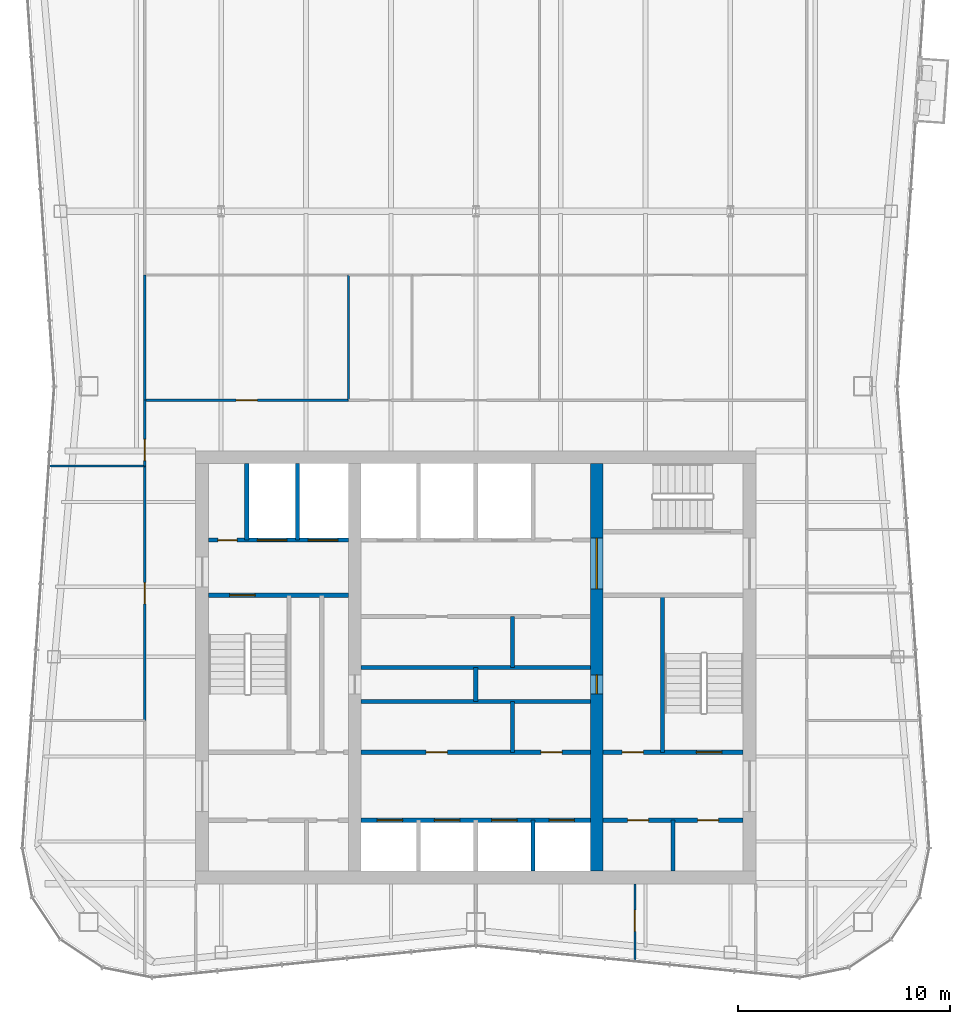
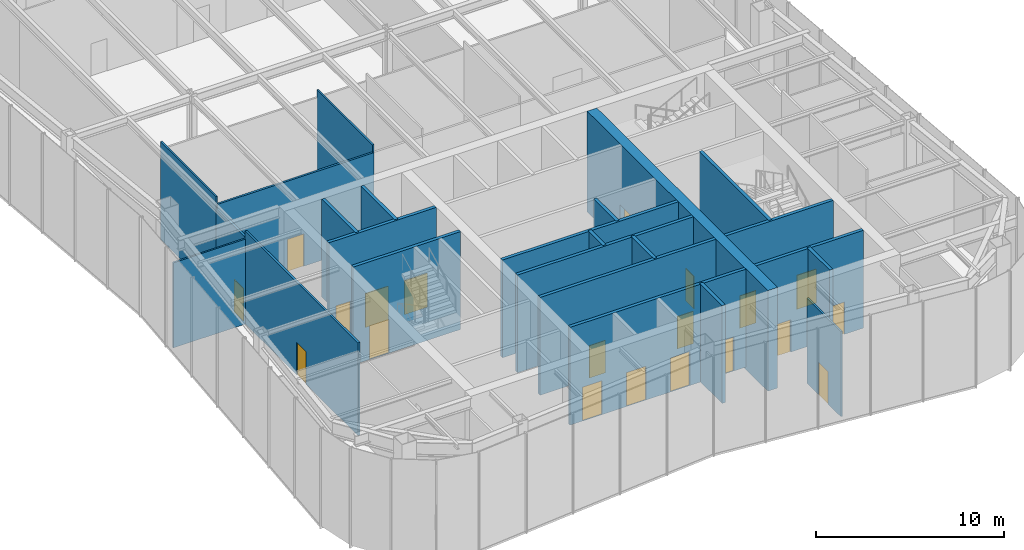
# One storey, part 10 of 15: 24 walls, 20 doors, 20 openings.
"""IFC4 building model written with IfcOpenShell, lengths in metres."""

from ifc_helpers import new_model, si_unit, direction, frame, frame_2d, origin, place, context, subcontext, project, spatial, rectangle, extrude, material, layer, layer_set, type_object, element, fill, save


model = new_model("IFC4")

# Units and contexts
model_context = context("Model", 3, precision=1e-05, world=origin(), true_north=direction((0.0, 1.0)))
body_context = subcontext(model_context, "Body", "Model", "MODEL_VIEW")
ifc_project = project(units=[si_unit("LENGTHUNIT", "METRE"), si_unit("AREAUNIT", "SQUARE_METRE"), si_unit("VOLUMEUNIT", "CUBIC_METRE"), si_unit("PLANEANGLEUNIT", "RADIAN"), si_unit("MASSUNIT", "GRAM", prefix="KILO")], contexts=[model_context])

# Site, building, storey
site_placement = place(None, origin())
site = spatial("IfcSite", under=ifc_project, at=site_placement, CompositionType="ELEMENT")
building_placement = place(site_placement, origin())
building = spatial("IfcBuilding", under=site, at=building_placement, Name="Verdant Reach Tower", CompositionType="ELEMENT")
storey_placement = place(building_placement, frame((0.0, 0.0, 334.0)))
storey = spatial("IfcBuildingStorey", under=building, at=storey_placement, Name="L77", CompositionType="ELEMENT", Elevation=334.0)

# Wall, openings, doors
ifc_material_1 = material(Name="Gypsum board on steel studs", Category="steel")
ifc_layer_1 = layer(ifc_material_1, 0.199951171875)
ifc_layer_set_1 = layer_set([ifc_layer_1], Name="CO-WALL-ROOM")
wall_type_1 = type_object("IfcWallType", Name="CO-WALL-ROOM", PredefinedType="PARTITIONING", material=ifc_layer_set_1)
wall_1_placement = place(storey_placement, frame((6.0, 20.800048828125, 0.0), z_axis=(0.0, 0.0, 1.0), x_axis=(1.0, 0.0, 0.0)))
wall_1 = element("IfcWall", 1, at=wall_1_placement, inside=storey, type_object=wall_type_1, Name="Core partition, L77", PredefinedType="PARTITIONING", context=body_context, shape_type="SweptSolid", body=[
    extrude(rectangle(XDim=6.60009765625, YDim=0.199951171875, at=frame_2d((3.300048828125, 0.0))), origin(), (0.0, 0.0, 1.0), 6.35009765625),
])
opening_1_placement = place(wall_1_placement, frame((1.14990234375, 0.0, 0.0)))
opening_1 = element("IfcOpeningElement", 2, at=opening_1_placement, cuts=wall_1, Name="Opening CD", PredefinedType="OPENING", context=body_context, shape_type="SweptSolid", body=[
    extrude(rectangle(XDim=1.0, YDim=2.10009765625, at=frame_2d((0.5, 1.050048828125))), frame((0.0, 0.10986328125, 0.0), z_axis=(0.0, -1.0, 0.0), x_axis=(1.0, 0.0, 0.0)), (0.0, 0.0, 1.0), 0.219970703125),
])
opening_2_placement = place(wall_1_placement, frame((4.449951171875, 0.0, 0.0)))
opening_2 = element("IfcOpeningElement", 3, at=opening_2_placement, cuts=wall_1, Name="Opening CD", PredefinedType="OPENING", context=body_context, shape_type="SweptSolid", body=[
    extrude(rectangle(XDim=1.0, YDim=2.10009765625, at=frame_2d((0.5, 1.050048828125))), frame((0.0, 0.10986328125, 0.0), z_axis=(0.0, -1.0, 0.0), x_axis=(1.0, 0.0, 0.0)), (0.0, 0.0, 1.0), 0.219970703125),
])
ifc_material_2 = material(Name="Timber", Category="wood")
door_type_1 = type_object("IfcDoorType", Name="CO-DOOR-ROOM", OperationType="NOTDEFINED", PredefinedType="DOOR", material=ifc_material_2)
door_1_placement = place(opening_1_placement, origin())
door_1 = element("IfcDoor", 4, at=door_1_placement, inside=storey, type_object=door_type_1, Name="Core room door, L77", OperationType="SINGLE_SWING_LEFT", OverallHeight=2.10009765625, OverallWidth=1.0, PredefinedType="DOOR", context=body_context, shape_type="SweptSolid", body=[
    extrude(rectangle(XDim=1.0, YDim=2.10009765625, at=frame_2d((0.5, 1.050048828125))), frame((0.0, 0.02490234375, 0.0), z_axis=(0.0, -1.0, 0.0), x_axis=(1.0, 0.0, 0.0)), (0.0, 0.0, 1.0), 0.050048828125),
])
fill(opening_1, door_1)
door_2_placement = place(opening_2_placement, origin())
door_2 = element("IfcDoor", 5, at=door_2_placement, inside=storey, type_object=door_type_1, Name="Core room door, L77", OperationType="SINGLE_SWING_LEFT", OverallHeight=2.10009765625, OverallWidth=1.0, PredefinedType="DOOR", context=body_context, shape_type="SweptSolid", body=[
    extrude(rectangle(XDim=1.0, YDim=2.10009765625, at=frame_2d((0.5, 1.050048828125))), frame((0.0, 0.02490234375, 0.0), z_axis=(0.0, -1.0, 0.0), x_axis=(1.0, 0.0, 0.0)), (0.0, 0.0, 1.0), 0.050048828125),
])
fill(opening_2, door_2)

wall_2_placement = place(storey_placement, frame((-5.39990234375, 24.0, 0.0), z_axis=(0.0, 0.0, 1.0), x_axis=(1.0, 0.0, 0.0)))
wall_2 = element("IfcWall", 6, at=wall_2_placement, inside=storey, type_object=wall_type_1, Name="Core partition, L77", PredefinedType="PARTITIONING", context=body_context, shape_type="SweptSolid", body=[
    extrude(rectangle(XDim=10.7998046875, YDim=0.199951171875, at=frame_2d((5.39990234375, 0.0))), origin(), (0.0, 0.0, 1.0), 6.35009765625),
])
opening_3_placement = place(wall_2_placement, frame((3.06396484375, 0.0, 0.0)))
opening_3 = element("IfcOpeningElement", 7, at=opening_3_placement, cuts=wall_2, Name="Opening CD", PredefinedType="OPENING", context=body_context, shape_type="SweptSolid", body=[
    extrude(rectangle(XDim=1.0, YDim=2.10009765625, at=frame_2d((0.5, 1.050048828125))), frame((0.0, 0.10986328125, 0.0), z_axis=(0.0, -1.0, 0.0), x_axis=(1.0, 0.0, 0.0)), (0.0, 0.0, 1.0), 0.219970703125),
])
opening_4_placement = place(wall_2_placement, frame((8.464111328125, 0.0, 0.0)))
opening_4 = element("IfcOpeningElement", 8, at=opening_4_placement, cuts=wall_2, Name="Opening CD", PredefinedType="OPENING", context=body_context, shape_type="SweptSolid", body=[
    extrude(rectangle(XDim=1.0, YDim=2.10009765625, at=frame_2d((0.5, 1.050048828125))), frame((0.0, 0.10986328125, 0.0), z_axis=(0.0, -1.0, 0.0), x_axis=(1.0, 0.0, 0.0)), (0.0, 0.0, 1.0), 0.219970703125),
])
door_3_placement = place(opening_3_placement, origin())
door_3 = element("IfcDoor", 9, at=door_3_placement, inside=storey, type_object=door_type_1, Name="Core room door, L77", OperationType="SINGLE_SWING_RIGHT", OverallHeight=2.10009765625, OverallWidth=1.0, PredefinedType="DOOR", context=body_context, shape_type="SweptSolid", body=[
    extrude(rectangle(XDim=1.0, YDim=2.10009765625, at=frame_2d((0.5, 1.050048828125))), frame((0.0, 0.02490234375, 0.0), z_axis=(0.0, -1.0, 0.0), x_axis=(1.0, 0.0, 0.0)), (0.0, 0.0, 1.0), 0.050048828125),
])
fill(opening_3, door_3)
door_4_placement = place(opening_4_placement, origin())
door_4 = element("IfcDoor", 10, at=door_4_placement, inside=storey, type_object=door_type_1, Name="Core room door, L77", OperationType="SINGLE_SWING_LEFT", OverallHeight=2.10009765625, OverallWidth=1.0, PredefinedType="DOOR", context=body_context, shape_type="SweptSolid", body=[
    extrude(rectangle(XDim=1.0, YDim=2.10009765625, at=frame_2d((0.5, 1.050048828125))), frame((0.0, 0.02490234375, 0.0), z_axis=(0.0, -1.0, 0.0), x_axis=(1.0, 0.0, 0.0)), (0.0, 0.0, 1.0), 0.050048828125),
])
fill(opening_4, door_4)

# Walls
for number, where, z_axis, x_axis, name in (
    (11, (-5.39990234375, 26.39990234375, 0.0), (0.0, 0.0, 1.0), (1.0, 0.0, 0.0), "Core partition, L77"),
    (12, (-5.39990234375, 28.0, 0.0), (0.0, 0.0, 1.0), (1.0, 0.0, 0.0), "Core partition, L77"),
):
    element("IfcWall", number, at=place(storey_placement, frame(where, z_axis=z_axis, x_axis=x_axis)), inside=storey, type_object=wall_type_1, Name=name, PredefinedType="PARTITIONING", context=body_context, shape_type="SweptSolid", body=[
        extrude(rectangle(XDim=10.7998046875, YDim=0.199951171875, at=frame_2d((5.39990234375, 0.0))), origin(), (0.0, 0.0, 1.0), 6.35009765625),
    ])
wall_3_placement = place(storey_placement, frame((0.0, 26.39990234375, 0.0), z_axis=(0.0, 0.0, 1.0), x_axis=(0.0, 1.0, 0.0)))
element("IfcWall", 13, at=wall_3_placement, inside=storey, type_object=wall_type_1, Name="Core partition, L77", PredefinedType="PARTITIONING", context=body_context, shape_type="SweptSolid", body=[
    extrude(rectangle(XDim=1.60009765625, YDim=0.199951171875, at=frame_2d((0.800048828125, 0.0))), origin(), (0.0, 0.0, 1.0), 6.35009765625),
])
for number, where, z_axis, x_axis, name in (
    (14, (1.72802734375, 24.0, 0.0), (0.0, 0.0, 1.0), (0.0, 1.0, 0.0), "Core partition, L77"),
    (15, (1.72802734375, 28.0, 0.0), (0.0, 0.0, 1.0), (0.0, 1.0, 0.0), "Core partition, L77"),
):
    element("IfcWall", number, at=place(storey_placement, frame(where, z_axis=z_axis, x_axis=x_axis)), inside=storey, type_object=wall_type_1, Name=name, PredefinedType="PARTITIONING", context=body_context, shape_type="SweptSolid", body=[
        extrude(rectangle(XDim=2.39990234375, YDim=0.199951171875, at=frame_2d((1.199951171875, 0.0))), origin(), (0.0, 0.0, 1.0), 6.35009765625),
    ])
wall_4_placement = place(storey_placement, frame((9.300048828125, 18.39990234375, 0.0), z_axis=(0.0, 0.0, 1.0), x_axis=(0.0, 1.0, 0.0)))
element("IfcWall", 16, at=wall_4_placement, inside=storey, type_object=wall_type_1, Name="Core partition, L77", PredefinedType="PARTITIONING", context=body_context, shape_type="SweptSolid", body=[
    extrude(rectangle(XDim=2.400146484375, YDim=0.199951171875, at=frame_2d((1.2001953125, 0.0))), origin(), (0.0, 0.0, 1.0), 6.35009765625),
])

# Wall, openings, doors
ifc_material_3 = material(Name="Concrete C40/50", Category="concrete")
ifc_layer_2 = layer(ifc_material_3, 0.199951171875)
ifc_layer_set_2 = layer_set([ifc_layer_2], Name="CO-WALL-SHAFT")
wall_type_2 = type_object("IfcWallType", Name="CO-WALL-SHAFT", PredefinedType="PARTITIONING", material=ifc_layer_set_2)
wall_5_placement = place(storey_placement, frame((-5.39990234375, 20.800048828125, 0.0), z_axis=(0.0, 0.0, 1.0), x_axis=(1.0, 0.0, 0.0)))
wall_5 = element("IfcWall", 17, at=wall_5_placement, inside=storey, type_object=wall_type_2, Name="Lift shaft wall, L77", PredefinedType="PARTITIONING", context=body_context, shape_type="SweptSolid", body=[
    extrude(rectangle(XDim=10.7998046875, YDim=0.199951171875, at=frame_2d((5.39990234375, 0.0))), origin(), (0.0, 0.0, 1.0), 6.35009765625),
])
opening_5_placement = place(wall_5_placement, frame((0.75, 0.0, 0.0)))
opening_5 = element("IfcOpeningElement", 18, at=opening_5_placement, cuts=wall_5, Name="Opening LD-B1", PredefinedType="OPENING", context=body_context, shape_type="SweptSolid", body=[
    extrude(rectangle(XDim=1.199951171875, YDim=2.199951171875, at=frame_2d((0.60009765625, 1.10009765625))), frame((0.0, 0.10986328125, 0.0), z_axis=(0.0, -1.0, 0.0), x_axis=(1.0, 0.0, 0.0)), (0.0, 0.0, 1.0), 0.219970703125),
])
opening_6_placement = place(wall_5_placement, frame((3.449951171875, 0.0, 0.0)))
opening_6 = element("IfcOpeningElement", 19, at=opening_6_placement, cuts=wall_5, Name="Opening LD-B2", PredefinedType="OPENING", context=body_context, shape_type="SweptSolid", body=[
    extrude(rectangle(XDim=1.199951171875, YDim=2.199951171875, at=frame_2d((0.60009765625, 1.10009765625))), frame((0.0, 0.10986328125, 0.0), z_axis=(0.0, -1.0, 0.0), x_axis=(1.0, 0.0, 0.0)), (0.0, 0.0, 1.0), 0.219970703125),
])
opening_7_placement = place(wall_5_placement, frame((6.14990234375, 0.0, 0.0)))
opening_7 = element("IfcOpeningElement", 20, at=opening_7_placement, cuts=wall_5, Name="Opening LD-B3", PredefinedType="OPENING", context=body_context, shape_type="SweptSolid", body=[
    extrude(rectangle(XDim=1.199951171875, YDim=2.199951171875, at=frame_2d((0.60009765625, 1.10009765625))), frame((0.0, 0.10986328125, 0.0), z_axis=(0.0, -1.0, 0.0), x_axis=(1.0, 0.0, 0.0)), (0.0, 0.0, 1.0), 0.219970703125),
])
opening_8_placement = place(wall_5_placement, frame((8.85009765625, 0.0, 0.0)))
opening_8 = element("IfcOpeningElement", 21, at=opening_8_placement, cuts=wall_5, Name="Opening LD-B4", PredefinedType="OPENING", context=body_context, shape_type="SweptSolid", body=[
    extrude(rectangle(XDim=1.199951171875, YDim=2.199951171875, at=frame_2d((0.60009765625, 1.10009765625))), frame((0.0, 0.10986328125, 0.0), z_axis=(0.0, -1.0, 0.0), x_axis=(1.0, 0.0, 0.0)), (0.0, 0.0, 1.0), 0.219970703125),
])
ifc_material_4 = material(Name="Stainless steel", Category="steel")
door_type_2 = type_object("IfcDoorType", Name="CO-DOOR-LANDING", OperationType="SLIDING_TO_LEFT", PredefinedType="DOOR", material=ifc_material_4)
door_5_placement = place(opening_5_placement, origin())
door_5 = element("IfcDoor", 22, at=door_5_placement, inside=storey, type_object=door_type_2, Name="Landing door B1, L77", OperationType="SLIDING_TO_LEFT", OverallHeight=2.199951171875, OverallWidth=1.199951171875, PredefinedType="DOOR", context=body_context, shape_type="SweptSolid", body=[
    extrude(rectangle(XDim=1.199951171875, YDim=2.199951171875, at=frame_2d((0.60009765625, 1.10009765625))), frame((0.0, 0.02490234375, 0.0), z_axis=(0.0, -1.0, 0.0), x_axis=(1.0, 0.0, 0.0)), (0.0, 0.0, 1.0), 0.050048828125),
])
fill(opening_5, door_5)
door_6_placement = place(opening_6_placement, origin())
door_6 = element("IfcDoor", 23, at=door_6_placement, inside=storey, type_object=door_type_2, Name="Landing door B2, L77", OperationType="SLIDING_TO_LEFT", OverallHeight=2.199951171875, OverallWidth=1.199951171875, PredefinedType="DOOR", context=body_context, shape_type="SweptSolid", body=[
    extrude(rectangle(XDim=1.199951171875, YDim=2.199951171875, at=frame_2d((0.60009765625, 1.10009765625))), frame((0.0, 0.02490234375, 0.0), z_axis=(0.0, -1.0, 0.0), x_axis=(1.0, 0.0, 0.0)), (0.0, 0.0, 1.0), 0.050048828125),
])
fill(opening_6, door_6)
door_7_placement = place(opening_7_placement, origin())
door_7 = element("IfcDoor", 24, at=door_7_placement, inside=storey, type_object=door_type_2, Name="Landing door B3, L77", OperationType="SLIDING_TO_LEFT", OverallHeight=2.199951171875, OverallWidth=1.199951171875, PredefinedType="DOOR", context=body_context, shape_type="SweptSolid", body=[
    extrude(rectangle(XDim=1.199951171875, YDim=2.199951171875, at=frame_2d((0.60009765625, 1.10009765625))), frame((0.0, 0.02490234375, 0.0), z_axis=(0.0, -1.0, 0.0), x_axis=(1.0, 0.0, 0.0)), (0.0, 0.0, 1.0), 0.050048828125),
])
fill(opening_7, door_7)
door_8_placement = place(opening_8_placement, origin())
door_8 = element("IfcDoor", 25, at=door_8_placement, inside=storey, type_object=door_type_2, Name="Landing door B4, L77", OperationType="SLIDING_TO_LEFT", OverallHeight=2.199951171875, OverallWidth=1.199951171875, PredefinedType="DOOR", context=body_context, shape_type="SweptSolid", body=[
    extrude(rectangle(XDim=1.199951171875, YDim=2.199951171875, at=frame_2d((0.60009765625, 1.10009765625))), frame((0.0, 0.02490234375, 0.0), z_axis=(0.0, -1.0, 0.0), x_axis=(1.0, 0.0, 0.0)), (0.0, 0.0, 1.0), 0.050048828125),
])
fill(opening_8, door_8)

wall_6_placement = place(storey_placement, frame((-12.60009765625, 34.0, 0.0), z_axis=(0.0, 0.0, 1.0), x_axis=(1.0, 0.0, 0.0)))
wall_6 = element("IfcWall", 26, at=wall_6_placement, inside=storey, type_object=wall_type_2, Name="Lift shaft wall, L77", PredefinedType="PARTITIONING", context=body_context, shape_type="SweptSolid", body=[
    extrude(rectangle(XDim=6.60009765625, YDim=0.199951171875, at=frame_2d((3.300048828125, 0.0))), origin(), (0.0, 0.0, 1.0), 6.35009765625),
])
opening_9_placement = place(wall_6_placement, frame((4.699951171875, 0.0, 0.0)))
opening_9 = element("IfcOpeningElement", 27, at=opening_9_placement, cuts=wall_6, Name="Opening LD-F1", PredefinedType="OPENING", context=body_context, shape_type="SweptSolid", body=[
    extrude(rectangle(XDim=1.39990234375, YDim=2.199951171875, at=frame_2d((0.699951171875, 1.10009765625))), frame((0.0, 0.10986328125, 0.0), z_axis=(0.0, -1.0, 0.0), x_axis=(1.0, 0.0, 0.0)), (0.0, 0.0, 1.0), 0.219970703125),
])
opening_10_placement = place(wall_6_placement, frame((2.300048828125, 0.0, 0.0)))
opening_10 = element("IfcOpeningElement", 28, at=opening_10_placement, cuts=wall_6, Name="Opening LD-F2", PredefinedType="OPENING", context=body_context, shape_type="SweptSolid", body=[
    extrude(rectangle(XDim=1.39990234375, YDim=2.199951171875, at=frame_2d((0.699951171875, 1.10009765625))), frame((0.0, 0.10986328125, 0.0), z_axis=(0.0, -1.0, 0.0), x_axis=(1.0, 0.0, 0.0)), (0.0, 0.0, 1.0), 0.219970703125),
])
opening_11_placement = place(wall_6_placement, frame((0.449951171875, 0.0, 0.0)))
opening_11 = element("IfcOpeningElement", 29, at=opening_11_placement, cuts=wall_6, Name="Opening RD", PredefinedType="OPENING", context=body_context, shape_type="SweptSolid", body=[
    extrude(rectangle(XDim=0.89990234375, YDim=2.10009765625, at=frame_2d((0.449951171875, 1.050048828125))), frame((0.0, 0.10986328125, 0.0), z_axis=(0.0, -1.0, 0.0), x_axis=(1.0, 0.0, 0.0)), (0.0, 0.0, 1.0), 0.219970703125),
])
door_type_3 = type_object("IfcDoorType", Name="CO-DOOR-LANDING-FF", OperationType="SLIDING_TO_LEFT", PredefinedType="DOOR", material=ifc_material_4)
door_9_placement = place(opening_9_placement, origin())
door_9 = element("IfcDoor", 30, at=door_9_placement, inside=storey, type_object=door_type_3, Name="Landing door F1, L77", OperationType="SLIDING_TO_LEFT", OverallHeight=2.199951171875, OverallWidth=1.39990234375, PredefinedType="DOOR", context=body_context, shape_type="SweptSolid", body=[
    extrude(rectangle(XDim=1.39990234375, YDim=2.199951171875, at=frame_2d((0.699951171875, 1.10009765625))), frame((0.0, 0.02490234375, 0.0), z_axis=(0.0, -1.0, 0.0), x_axis=(1.0, 0.0, 0.0)), (0.0, 0.0, 1.0), 0.050048828125),
])
fill(opening_9, door_9)
door_10_placement = place(opening_10_placement, origin())
door_10 = element("IfcDoor", 31, at=door_10_placement, inside=storey, type_object=door_type_3, Name="Landing door F2, L77", OperationType="SLIDING_TO_LEFT", OverallHeight=2.199951171875, OverallWidth=1.39990234375, PredefinedType="DOOR", context=body_context, shape_type="SweptSolid", body=[
    extrude(rectangle(XDim=1.39990234375, YDim=2.199951171875, at=frame_2d((0.699951171875, 1.10009765625))), frame((0.0, 0.02490234375, 0.0), z_axis=(0.0, -1.0, 0.0), x_axis=(1.0, 0.0, 0.0)), (0.0, 0.0, 1.0), 0.050048828125),
])
fill(opening_10, door_10)
ifc_material_5 = material(Name="Steel", Category="steel")
door_type_4 = type_object("IfcDoorType", Name="CO-DOOR-RISER", OperationType="NOTDEFINED", PredefinedType="DOOR", material=ifc_material_5)
door_11_placement = place(opening_11_placement, origin())
door_11 = element("IfcDoor", 32, at=door_11_placement, inside=storey, type_object=door_type_4, Name="Core room door, L77", OperationType="SINGLE_SWING_RIGHT", OverallHeight=2.10009765625, OverallWidth=0.89990234375, PredefinedType="DOOR", context=body_context, shape_type="SweptSolid", body=[
    extrude(rectangle(XDim=0.89990234375, YDim=2.10009765625, at=frame_2d((0.449951171875, 1.050048828125))), frame((0.0, 0.02490234375, 0.0), z_axis=(0.0, -1.0, 0.0), x_axis=(1.0, 0.0, 0.0)), (0.0, 0.0, 1.0), 0.050048828125),
])
fill(opening_11, door_11)

# Walls
for number, where, z_axis, x_axis, name in (
    (33, (-10.800048828125, 34.0, 0.0), (0.0, 0.0, 1.0), (0.0, 1.0, 0.0), "Lift shaft wall, L77"),
    (34, (-8.39990234375, 34.0, 0.0), (0.0, 0.0, 1.0), (0.0, 1.0, 0.0), "Lift shaft wall, L77"),
):
    element("IfcWall", number, at=place(storey_placement, frame(where, z_axis=z_axis, x_axis=x_axis)), inside=storey, type_object=wall_type_2, Name=name, PredefinedType="PARTITIONING", context=body_context, shape_type="SweptSolid", body=[
        extrude(rectangle(XDim=3.60009765625, YDim=0.199951171875, at=frame_2d((1.800048828125, 0.0))), origin(), (0.0, 0.0, 1.0), 6.35009765625),
    ])
wall_7_placement = place(storey_placement, frame((2.699951171875, 18.39990234375, 0.0), z_axis=(0.0, 0.0, 1.0), x_axis=(0.0, 1.0, 0.0)))
element("IfcWall", 35, at=wall_7_placement, inside=storey, type_object=wall_type_2, Name="Lift shaft wall, L77", PredefinedType="PARTITIONING", context=body_context, shape_type="SweptSolid", body=[
    extrude(rectangle(XDim=2.400146484375, YDim=0.199951171875, at=frame_2d((1.2001953125, 0.0))), origin(), (0.0, 0.0, 1.0), 6.35009765625),
])

# Wall, openings, doors
ifc_layer_3 = layer(ifc_material_3, 0.199951171875)
ifc_layer_set_3 = layer_set([ifc_layer_3], Name="CO-WALL-STAIR")
wall_type_3 = type_object("IfcWallType", Name="CO-WALL-STAIR", PredefinedType="PARTITIONING", material=ifc_layer_set_3)
wall_8_placement = place(storey_placement, frame((6.0, 24.0, 0.0), z_axis=(0.0, 0.0, 1.0), x_axis=(1.0, 0.0, 0.0)))
wall_8 = element("IfcWall", 36, at=wall_8_placement, inside=storey, type_object=wall_type_3, Name="Stair enclosure wall, L77", PredefinedType="PARTITIONING", context=body_context, shape_type="SweptSolid", body=[
    extrude(rectangle(XDim=6.60009765625, YDim=0.199951171875, at=frame_2d((3.300048828125, 0.0))), origin(), (0.0, 0.0, 1.0), 6.35009765625),
])
opening_12_placement = place(wall_8_placement, frame((0.89990234375, 0.0, 0.0)))
opening_12 = element("IfcOpeningElement", 37, at=opening_12_placement, cuts=wall_8, Name="Opening CD", PredefinedType="OPENING", context=body_context, shape_type="SweptSolid", body=[
    extrude(rectangle(XDim=1.0, YDim=2.10009765625, at=frame_2d((0.5, 1.050048828125))), frame((0.0, 0.10986328125, 0.0), z_axis=(0.0, -1.0, 0.0), x_axis=(1.0, 0.0, 0.0)), (0.0, 0.0, 1.0), 0.219970703125),
])
opening_13_placement = place(wall_8_placement, frame((4.39990234375, 0.0, 0.0)))
opening_13 = element("IfcOpeningElement", 38, at=opening_13_placement, cuts=wall_8, Name="Opening SD", PredefinedType="OPENING", context=body_context, shape_type="SweptSolid", body=[
    extrude(rectangle(XDim=1.199951171875, YDim=2.199951171875, at=frame_2d((0.60009765625, 1.10009765625))), frame((0.0, 0.10986328125, 0.0), z_axis=(0.0, -1.0, 0.0), x_axis=(1.0, 0.0, 0.0)), (0.0, 0.0, 1.0), 0.219970703125),
])
door_12_placement = place(opening_12_placement, origin())
door_12 = element("IfcDoor", 39, at=door_12_placement, inside=storey, type_object=door_type_1, Name="Core room door, L77", OperationType="SINGLE_SWING_RIGHT", OverallHeight=2.10009765625, OverallWidth=1.0, PredefinedType="DOOR", context=body_context, shape_type="SweptSolid", body=[
    extrude(rectangle(XDim=1.0, YDim=2.10009765625, at=frame_2d((0.5, 1.050048828125))), frame((0.0, 0.02490234375, 0.0), z_axis=(0.0, -1.0, 0.0), x_axis=(1.0, 0.0, 0.0)), (0.0, 0.0, 1.0), 0.050048828125),
])
fill(opening_12, door_12)
door_type_5 = type_object("IfcDoorType", Name="CO-DOOR-STAIR", OperationType="NOTDEFINED", PredefinedType="DOOR", material=ifc_material_5)
door_13_placement = place(opening_13_placement, origin())
door_13 = element("IfcDoor", 40, at=door_13_placement, inside=storey, type_object=door_type_5, Name="Stair door, L77", OperationType="SINGLE_SWING_LEFT", OverallHeight=2.199951171875, OverallWidth=1.199951171875, PredefinedType="DOOR", context=body_context, shape_type="SweptSolid", body=[
    extrude(rectangle(XDim=1.199951171875, YDim=2.199951171875, at=frame_2d((0.60009765625, 1.10009765625))), frame((0.0, 0.02490234375, 0.0), z_axis=(0.0, -1.0, 0.0), x_axis=(1.0, 0.0, 0.0)), (0.0, 0.0, 1.0), 0.050048828125),
])
fill(opening_13, door_13)

# Wall, opening, door
wall_9_placement = place(storey_placement, frame((-12.60009765625, 31.39990234375, 0.0), z_axis=(0.0, 0.0, 1.0), x_axis=(1.0, 0.0, 0.0)))
wall_9 = element("IfcWall", 41, at=wall_9_placement, inside=storey, type_object=wall_type_3, Name="Stair enclosure wall, L77", PredefinedType="PARTITIONING", context=body_context, shape_type="SweptSolid", body=[
    extrude(rectangle(XDim=6.60009765625, YDim=0.199951171875, at=frame_2d((3.300048828125, 0.0))), origin(), (0.0, 0.0, 1.0), 6.35009765625),
])
opening_14_placement = place(wall_9_placement, frame((1.0, 0.0, 0.0)))
opening_14 = element("IfcOpeningElement", 42, at=opening_14_placement, cuts=wall_9, Name="Opening SD", PredefinedType="OPENING", context=body_context, shape_type="SweptSolid", body=[
    extrude(rectangle(XDim=1.199951171875, YDim=2.199951171875, at=frame_2d((0.60009765625, 1.10009765625))), frame((0.0, 0.10986328125, 0.0), z_axis=(0.0, -1.0, 0.0), x_axis=(1.0, 0.0, 0.0)), (0.0, 0.0, 1.0), 0.219970703125),
])
door_14_placement = place(opening_14_placement, origin())
door_14 = element("IfcDoor", 43, at=door_14_placement, inside=storey, type_object=door_type_5, Name="Stair door, L77", OperationType="SINGLE_SWING_RIGHT", OverallHeight=2.199951171875, OverallWidth=1.199951171875, PredefinedType="DOOR", context=body_context, shape_type="SweptSolid", body=[
    extrude(rectangle(XDim=1.199951171875, YDim=2.199951171875, at=frame_2d((0.60009765625, 1.10009765625))), frame((0.0, 0.02490234375, 0.0), z_axis=(0.0, -1.0, 0.0), x_axis=(1.0, 0.0, 0.0)), (0.0, 0.0, 1.0), 0.050048828125),
])
fill(opening_14, door_14)

# Walls
wall_10_placement = place(storey_placement, frame((8.800048828125, 24.0, 0.0), z_axis=(0.0, 0.0, 1.0), x_axis=(0.0, 1.0, 0.0)))
element("IfcWall", 44, at=wall_10_placement, inside=storey, type_object=wall_type_3, Name="Stair enclosure wall, L77", PredefinedType="PARTITIONING", context=body_context, shape_type="SweptSolid", body=[
    extrude(rectangle(XDim=7.39990234375, YDim=0.199951171875, at=frame_2d((3.699951171875, 0.0))), origin(), (0.0, 0.0, 1.0), 6.35009765625),
])
ifc_layer_4 = layer(ifc_material_1, 0.10009765625)
ifc_layer_set_4 = layer_set([ifc_layer_4], Name="FL-W1 Partition 100")
wall_type_4 = type_object("IfcWallType", Name="FL-W1 Partition 100", PredefinedType="PARTITIONING", material=ifc_layer_set_4)
wall_11_placement = place(storey_placement, frame((-15.60009765625, 37.5, 0.0), z_axis=(0.0, 0.0, 1.0), x_axis=(-1.0, 0.0, 0.0)))
element("IfcWall", 45, at=wall_11_placement, inside=storey, type_object=wall_type_4, Name="Partition 77.16", PredefinedType="PARTITIONING", context=body_context, shape_type="SweptSolid", body=[
    extrude(rectangle(XDim=4.488525390625, YDim=0.10009765625, at=frame_2d((2.244140625, 0.0))), origin(), (0.0, 0.0, 1.0), 5.52001953125),
])
wall_12_placement = place(storey_placement, frame((-15.60009765625, 40.60009765625, 0.0), z_axis=(0.0, 0.0, 1.0), x_axis=(0.0, 1.0, 0.0)))
element("IfcWall", 46, at=wall_12_placement, inside=storey, type_object=wall_type_4, Name="Partition 77.17", PredefinedType="PARTITIONING", context=body_context, shape_type="SweptSolid", body=[
    extrude(rectangle(XDim=5.89990234375, YDim=0.10009765625, at=frame_2d((2.949951171875, 0.0))), origin(), (0.0, 0.0, 1.0), 6.35009765625),
])

# Wall, opening, door
wall_13_placement = place(storey_placement, frame((7.5, 14.182373046875, 0.0), z_axis=(0.0, 0.0, 1.0), x_axis=(0.0, 1.0, 0.0)))
wall_13 = element("IfcWall", 47, at=wall_13_placement, inside=storey, type_object=wall_type_4, Name="Partition 77.29", PredefinedType="PARTITIONING", context=body_context, shape_type="SweptSolid", body=[
    extrude(rectangle(XDim=3.61767578125, YDim=0.10009765625, at=frame_2d((1.808837890625, 0.0))), origin(), (0.0, 0.0, 1.0), 5.52001953125),
])
opening_15_placement = place(wall_13_placement, frame((1.3740234375, 0.0, 0.0)))
opening_15 = element("IfcOpeningElement", 48, at=opening_15_placement, cuts=wall_13, Name="Opening D3", PredefinedType="OPENING", context=body_context, shape_type="SweptSolid", body=[
    extrude(rectangle(XDim=1.0, YDim=2.10009765625, at=frame_2d((0.5, 1.050048828125))), frame((0.0, 0.06005859375, 0.0), z_axis=(0.0, -1.0, 0.0), x_axis=(1.0, 0.0, 0.0)), (0.0, 0.0, 1.0), 0.1201171875),
])
ifc_material_6 = material(Name="Painted timber door leaf", Category="wood")
door_type_6 = type_object("IfcDoorType", Name="FL-D3 Door 1000x2100", OperationType="NOTDEFINED", PredefinedType="DOOR", material=ifc_material_6)
door_15_placement = place(opening_15_placement, origin())
door_15 = element("IfcDoor", 49, at=door_15_placement, inside=storey, type_object=door_type_6, Name="Door 77-016", OperationType="SINGLE_SWING_RIGHT", OverallHeight=2.10009765625, OverallWidth=1.0, PredefinedType="DOOR", context=body_context, shape_type="SweptSolid", body=[
    extrude(rectangle(XDim=1.0, YDim=2.10009765625, at=frame_2d((0.5, 1.050048828125))), frame((0.0, 0.02490234375, 0.0), z_axis=(0.0, -1.0, 0.0), x_axis=(1.0, 0.0, 0.0)), (0.0, 0.0, 1.0), 0.050048828125),
])
fill(opening_15, door_15)

# Wall
wall_14_placement = place(storey_placement, frame((-6.0, 40.60009765625, 0.0), z_axis=(0.0, 0.0, 1.0), x_axis=(0.0, 1.0, 0.0)))
element("IfcWall", 50, at=wall_14_placement, inside=storey, type_object=wall_type_4, Name="Partition 77.30", PredefinedType="PARTITIONING", context=body_context, shape_type="SweptSolid", body=[
    extrude(rectangle(XDim=5.89990234375, YDim=0.10009765625, at=frame_2d((2.949951171875, 0.0))), origin(), (0.0, 0.0, 1.0), 6.35009765625),
])

# Wall, opening, door
ifc_material_7 = material(Name="Gypsum board on steel studs, fire rated", Category="steel")
ifc_layer_5 = layer(ifc_material_7, 0.125)
ifc_layer_set_5 = layer_set([ifc_layer_5], Name="FL-W2 Corridor wall 125")
wall_type_5 = type_object("IfcWallType", Name="FL-W2 Corridor wall 125", PredefinedType="PARTITIONING", material=ifc_layer_set_5)
wall_15_placement = place(storey_placement, frame((-15.60009765625, 25.5, 0.0), z_axis=(0.0, 0.0, 1.0), x_axis=(0.0, 1.0, 0.0)))
wall_15 = element("IfcWall", 51, at=wall_15_placement, inside=storey, type_object=wall_type_5, Name="Partition 77.02", PredefinedType="PARTITIONING", context=body_context, shape_type="SweptSolid", body=[
    extrude(rectangle(XDim=12.0, YDim=0.125, at=frame_2d((6.0, 0.0))), origin(), (0.0, 0.0, 1.0), 6.02001953125),
])
opening_16_placement = place(wall_15_placement, frame((5.5, 0.0, 0.0)))
opening_16 = element("IfcOpeningElement", 52, at=opening_16_placement, cuts=wall_15, Name="Opening D2", PredefinedType="OPENING", context=body_context, shape_type="SweptSolid", body=[
    extrude(rectangle(XDim=1.0, YDim=2.10009765625, at=frame_2d((0.5, 1.050048828125))), frame((0.0, 0.072509765625, 0.0), z_axis=(0.0, -1.0, 0.0), x_axis=(1.0, 0.0, 0.0)), (0.0, 0.0, 1.0), 0.14501953125),
])
ifc_material_8 = material(Name="Timber door leaf, fire rated", Category="wood")
door_type_7 = type_object("IfcDoorType", Name="FL-D2 Entrance door 1000x2100 FD30", OperationType="NOTDEFINED", PredefinedType="DOOR", material=ifc_material_8)
door_16_placement = place(opening_16_placement, origin())
door_16 = element("IfcDoor", 53, at=door_16_placement, inside=storey, type_object=door_type_7, Name="Door 77-002", OperationType="SINGLE_SWING_RIGHT", OverallHeight=2.10009765625, OverallWidth=1.0, PredefinedType="DOOR", context=body_context, shape_type="SweptSolid", body=[
    extrude(rectangle(XDim=1.0, YDim=2.10009765625, at=frame_2d((0.5, 1.050048828125))), frame((0.0, 0.02490234375, 0.0), z_axis=(0.0, -1.0, 0.0), x_axis=(1.0, 0.0, 0.0)), (0.0, 0.0, 1.0), 0.050048828125),
])
fill(opening_16, door_16)

wall_16_placement = place(storey_placement, frame((-15.60009765625, 37.5, 0.0), z_axis=(0.0, 0.0, 1.0), x_axis=(0.0, 1.0, 0.0)))
wall_16 = element("IfcWall", 54, at=wall_16_placement, inside=storey, type_object=wall_type_5, Name="Partition 77.03", PredefinedType="PARTITIONING", context=body_context, shape_type="SweptSolid", body=[
    extrude(rectangle(XDim=3.10400390625, YDim=0.125, at=frame_2d((1.552001953125, 0.0))), origin(), (0.0, 0.0, 1.0), 5.6201171875),
])
opening_17_placement = place(wall_16_placement, frame((0.251953125, 0.0, 0.0)))
opening_17 = element("IfcOpeningElement", 55, at=opening_17_placement, cuts=wall_16, Name="Opening D2", PredefinedType="OPENING", context=body_context, shape_type="SweptSolid", body=[
    extrude(rectangle(XDim=1.0, YDim=2.10009765625, at=frame_2d((0.5, 1.050048828125))), frame((0.0, 0.072509765625, 0.0), z_axis=(0.0, -1.0, 0.0), x_axis=(1.0, 0.0, 0.0)), (0.0, 0.0, 1.0), 0.14501953125),
])
door_17_placement = place(opening_17_placement, origin())
door_17 = element("IfcDoor", 56, at=door_17_placement, inside=storey, type_object=door_type_7, Name="Door 77-003", OperationType="SINGLE_SWING_LEFT", OverallHeight=2.10009765625, OverallWidth=1.0, PredefinedType="DOOR", context=body_context, shape_type="SweptSolid", body=[
    extrude(rectangle(XDim=1.0, YDim=2.10009765625, at=frame_2d((0.5, 1.050048828125))), frame((0.0, 0.02490234375, 0.0), z_axis=(0.0, -1.0, 0.0), x_axis=(1.0, 0.0, 0.0)), (0.0, 0.0, 1.0), 0.050048828125),
])
fill(opening_17, door_17)

wall_17_placement = place(storey_placement, frame((-15.60009765625, 40.60009765625, 0.0), z_axis=(0.0, 0.0, 1.0), x_axis=(1.0, 0.0, 0.0)))
wall_17 = element("IfcWall", 57, at=wall_17_placement, inside=storey, type_object=wall_type_5, Name="Partition 77.11", PredefinedType="PARTITIONING", context=body_context, shape_type="SweptSolid", body=[
    extrude(rectangle(XDim=9.60009765625, YDim=0.125, at=frame_2d((4.800048828125, 0.0))), origin(), (0.0, 0.0, 1.0), 5.8701171875),
])
opening_18_placement = place(wall_17_placement, frame((4.300048828125, 0.0, 0.0)))
opening_18 = element("IfcOpeningElement", 58, at=opening_18_placement, cuts=wall_17, Name="Opening D2", PredefinedType="OPENING", context=body_context, shape_type="SweptSolid", body=[
    extrude(rectangle(XDim=1.0, YDim=2.10009765625, at=frame_2d((0.5, 1.050048828125))), frame((0.0, 0.072509765625, 0.0), z_axis=(0.0, -1.0, 0.0), x_axis=(1.0, 0.0, 0.0)), (0.0, 0.0, 1.0), 0.14501953125),
])
door_18_placement = place(opening_18_placement, origin())
door_18 = element("IfcDoor", 59, at=door_18_placement, inside=storey, type_object=door_type_7, Name="Door 77-011", OperationType="SINGLE_SWING_LEFT", OverallHeight=2.10009765625, OverallWidth=1.0, PredefinedType="DOOR", context=body_context, shape_type="SweptSolid", body=[
    extrude(rectangle(XDim=1.0, YDim=2.10009765625, at=frame_2d((0.5, 1.050048828125))), frame((0.0, 0.02490234375, 0.0), z_axis=(0.0, -1.0, 0.0), x_axis=(1.0, 0.0, 0.0)), (0.0, 0.0, 1.0), 0.050048828125),
])
fill(opening_18, door_18)

# Wall, openings, doors
ifc_material_9 = material(Name="Concrete C70/85", Category="concrete")
ifc_layer_6 = layer(ifc_material_9, 0.60009765625)
ifc_layer_set_6 = layer_set([ifc_layer_6], Name="ST-CORE-WALL-600")
wall_type_6 = type_object("IfcWallType", Name="ST-CORE-WALL-600", PredefinedType="SHEAR", material=ifc_layer_set_6)
wall_18_placement = place(storey_placement, frame((5.699951171875, 18.39990234375, -0.179931640625), z_axis=(0.0, 0.0, 1.0), x_axis=(0.0, 1.0, 0.0)))
wall_18 = element("IfcWall", 60, at=wall_18_placement, inside=storey, type_object=wall_type_6, Name="Core wall XE, L77", PredefinedType="SHEAR", context=body_context, shape_type="SweptSolid", body=[
    extrude(rectangle(XDim=19.2001953125, YDim=0.60009765625, at=frame_2d((9.60009765625, 0.0))), origin(), (0.0, 0.0, 1.0), 6.530029296875),
])
opening_19_placement = place(wall_18_placement, frame((8.35009765625, 0.0, 0.179931640625)))
opening_19 = element("IfcOpeningElement", 61, at=opening_19_placement, cuts=wall_18, Name="Opening RD", PredefinedType="OPENING", context=body_context, shape_type="SweptSolid", body=[
    extrude(rectangle(XDim=0.89990234375, YDim=2.10009765625, at=frame_2d((0.449951171875, 1.050048828125))), frame((0.0, 0.31005859375, 0.0), z_axis=(0.0, -1.0, 0.0), x_axis=(1.0, 0.0, 0.0)), (0.0, 0.0, 1.0), 0.6201171875),
])
opening_20_placement = place(wall_18_placement, frame((13.300048828125, 0.0, 0.179931640625)))
opening_20 = element("IfcOpeningElement", 62, at=opening_20_placement, cuts=wall_18, Name="Opening LB", PredefinedType="OPENING", context=body_context, shape_type="SweptSolid", body=[
    extrude(rectangle(XDim=2.39990234375, YDim=2.39990234375, at=frame_2d((1.199951171875, 1.199951171875))), frame((0.0, 0.31005859375, 0.0), z_axis=(0.0, -1.0, 0.0), x_axis=(1.0, 0.0, 0.0)), (0.0, 0.0, 1.0), 0.6201171875),
])
ifc_material_10 = material(Name="Glass and steel", Category="steel")
door_type_8 = type_object("IfcDoorType", Name="CO-DOOR-LOBBY", OperationType="DOUBLE_DOOR_SINGLE_SWING", PredefinedType="DOOR", material=ifc_material_10)
door_19_placement = place(opening_20_placement, origin())
door_19 = element("IfcDoor", 63, at=door_19_placement, inside=storey, type_object=door_type_8, Name="Core entrance door, L77", OperationType="DOUBLE_DOOR_SINGLE_SWING", OverallHeight=2.39990234375, OverallWidth=2.39990234375, PredefinedType="DOOR", context=body_context, shape_type="SweptSolid", body=[
    extrude(rectangle(XDim=2.39990234375, YDim=2.39990234375, at=frame_2d((1.199951171875, 1.199951171875))), frame((0.0, 0.02490234375, 0.0), z_axis=(0.0, -1.0, 0.0), x_axis=(1.0, 0.0, 0.0)), (0.0, 0.0, 1.0), 0.050048828125),
])
fill(opening_20, door_19)
door_20_placement = place(opening_19_placement, origin())
door_20 = element("IfcDoor", 64, at=door_20_placement, inside=storey, type_object=door_type_4, Name="Riser door, L77", OperationType="SINGLE_SWING_RIGHT", OverallHeight=2.10009765625, OverallWidth=0.89990234375, PredefinedType="DOOR", context=body_context, shape_type="SweptSolid", body=[
    extrude(rectangle(XDim=0.89990234375, YDim=2.10009765625, at=frame_2d((0.449951171875, 1.050048828125))), frame((0.0, 0.02490234375, 0.0), z_axis=(0.0, -1.0, 0.0), x_axis=(1.0, 0.0, 0.0)), (0.0, 0.0, 1.0), 0.050048828125),
])
fill(opening_19, door_20)

save(model, "model.ifc")
